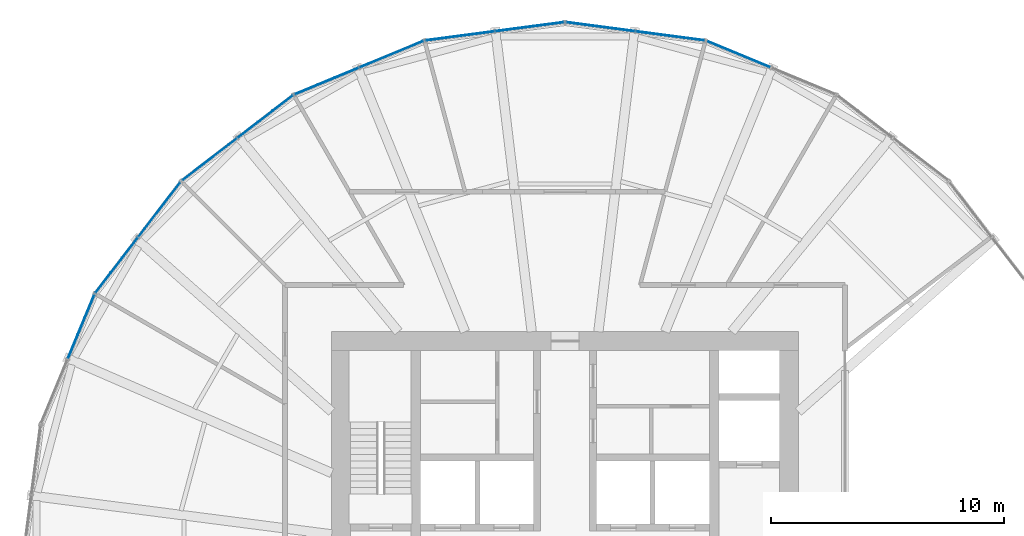
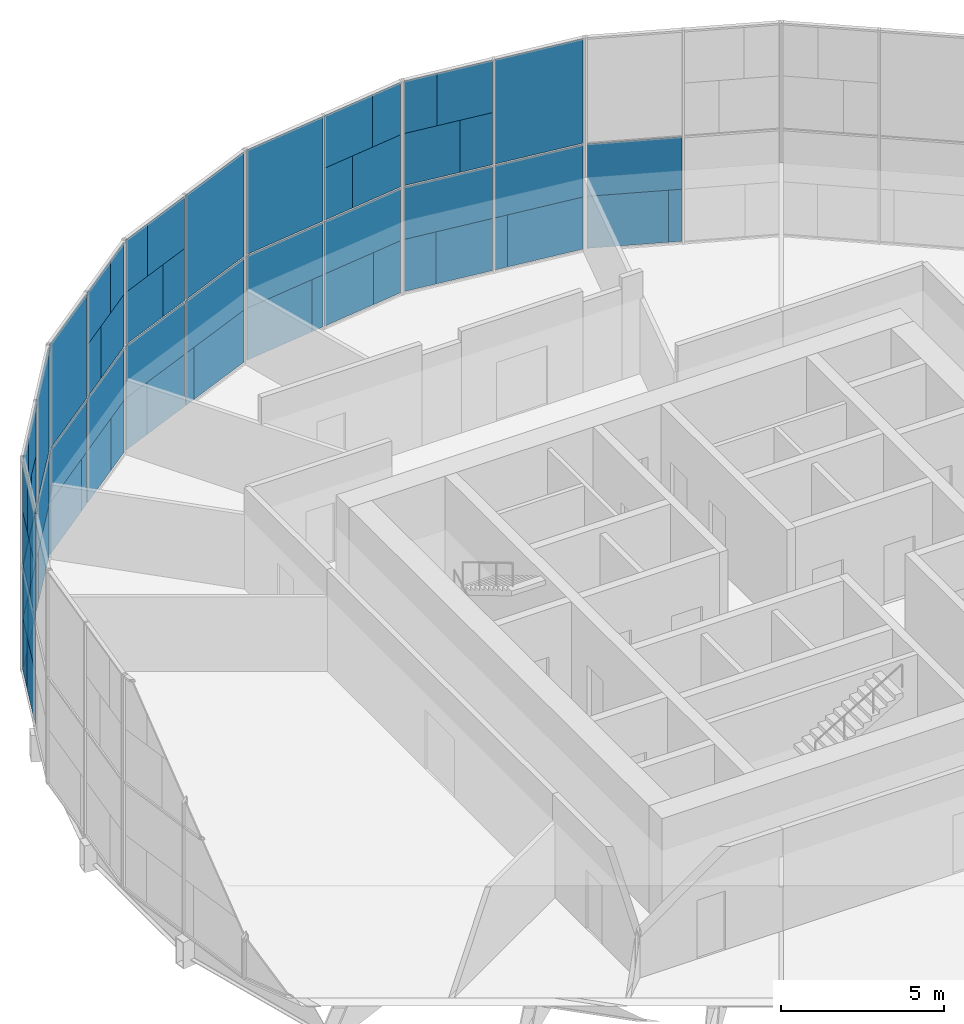
# One storey, part 13 of 18: 65 plates, 7 elements without a shape of their own.
"""IFC4 building model written with IfcOpenShell, lengths in metres."""

from ifc_helpers import new_model, si_unit, direction, frame, origin, origin_2d, place, context, subcontext, project, spatial, rectangle, extrude, material, layer, layer_set, type_object, element, aggregate, save


model = new_model("IFC4")

# Units and contexts
model_context = context("Model", 3, precision=1e-05, world=origin(), true_north=direction((0.0, 1.0)))
body_context = subcontext(model_context, "Body", "Model", "MODEL_VIEW")
ifc_project = project(units=[si_unit("LENGTHUNIT", "METRE"), si_unit("AREAUNIT", "SQUARE_METRE"), si_unit("VOLUMEUNIT", "CUBIC_METRE"), si_unit("PLANEANGLEUNIT", "RADIAN"), si_unit("MASSUNIT", "GRAM", prefix="KILO")], contexts=[model_context])

# Site, building, storey
site_placement = place(None, origin())
site = spatial("IfcSite", under=ifc_project, at=site_placement, CompositionType="ELEMENT")
building_placement = place(site_placement, origin())
building = spatial("IfcBuilding", under=site, at=building_placement, Name="Golbaran Civic Tower", CompositionType="ELEMENT")
storey_placement = place(building_placement, frame((0.0, 0.0, 45.0)))
storey = spatial("IfcBuildingStorey", under=building, at=storey_placement, Name="L10", CompositionType="ELEMENT", Elevation=45.0)

# Curtain wall, plates
ifc_material_1 = material(Name="Aluminium and glass", Category="aluminium")
curtain_wall_type = type_object("IfcCurtainWallType", Name="INNER SKIN CURTAIN WALL", PredefinedType="NOTDEFINED", material=ifc_material_1)
curtain_wall_1_placement = place(storey_placement, origin())
curtain_wall_1 = element("IfcCurtainWall", 1, at=curtain_wall_1_placement, inside=storey, type_object=curtain_wall_type, Name="Inner skin L10 facet 5 CW1", ObjectType="INNER SKIN", PredefinedType="USERDEFINED")
ifc_material_2 = material(Name="Clear insulating glass", Category="glass")
ifc_layer_1 = layer(ifc_material_2, 0.031982421875, Name="Clear insulating glass")
ifc_layer_set_1 = layer_set([ifc_layer_1], Name="Clear insulating glass")
plate_type_1 = type_object("IfcPlateType", Name="INNER SKIN CURTAIN WALL GLAZED PANEL", PredefinedType="CURTAIN_PANEL", material=ifc_layer_set_1)
plate_1_placement = place(storey_placement, frame((7.24609375, 21.971435546875, 0.06494140625), z_axis=(0.0, 0.0, 1.0), x_axis=(-0.923879532451, 0.38268343251, 0.0)))
plate_1 = element("IfcPlate", 2, at=plate_1_placement, type_object=plate_type_1, Name="CW1 panel 2.1 part 2", PredefinedType="CURTAIN_PANEL", context=body_context, shape_type="SweptSolid", body=[
    extrude(rectangle(XDim=2.51806640625, YDim=0.031982421875, at=origin_2d()), origin(), (0.0, 0.0, 1.0), 1.951171875),
])
plate_2_placement = place(storey_placement, frame((7.441162109375, 21.890625, 2.016357421875), z_axis=(0.0, 0.0, 1.0), x_axis=(-0.923879532451, 0.38268343251, 0.0)))
plate_2 = element("IfcPlate", 3, at=plate_2_placement, type_object=plate_type_1, Name="CW1 panel 2.1 part 3", PredefinedType="CURTAIN_PANEL", context=body_context, shape_type="SweptSolid", body=[
    extrude(rectangle(XDim=2.93994140625, YDim=0.031982421875, at=origin_2d()), origin(), (0.0, 0.0, 1.0), 1.951171875),
])

curtain_wall_2_placement = place(storey_placement, origin())
curtain_wall_2 = element("IfcCurtainWall", 4, at=curtain_wall_2_placement, inside=storey, type_object=curtain_wall_type, Name="Inner skin L10 facet 6 CW1", ObjectType="INNER SKIN", PredefinedType="USERDEFINED")
plate_3_placement = place(storey_placement, frame((4.710205078125, 22.65087890625, 0.06494140625), z_axis=(0.0, 0.0, 1.0), x_axis=(-0.991444861385, 0.130526192134, 0.0)))
plate_3 = element("IfcPlate", 5, at=plate_3_placement, type_object=plate_type_1, Name="CW1 panel 1.1 part 1", PredefinedType="CURTAIN_PANEL", context=body_context, shape_type="SweptSolid", body=[
    extrude(rectangle(XDim=2.51806640625, YDim=0.031982421875, at=origin_2d()), origin(), (0.0, 0.0, 1.0), 1.951171875),
])
plate_4_placement = place(storey_placement, frame((4.501220703125, 22.678466796875, 2.016357421875), z_axis=(0.0, 0.0, 1.0), x_axis=(-0.991444861385, 0.130526192134, 0.0)))
plate_4 = element("IfcPlate", 6, at=plate_4_placement, type_object=plate_type_1, Name="CW1 panel 1.1 part 3", PredefinedType="CURTAIN_PANEL", context=body_context, shape_type="SweptSolid", body=[
    extrude(rectangle(XDim=2.93994140625, YDim=0.031982421875, at=origin_2d()), origin(), (0.0, 0.0, 1.0), 1.951171875),
])
plate_5_placement = place(storey_placement, frame((4.501220703125, 22.678466796875, 4.0322265625), z_axis=(0.0, 0.0, 1.0), x_axis=(-0.991444861385, 0.130526192134, 0.0)))
plate_5 = element("IfcPlate", 7, at=plate_5_placement, type_object=plate_type_1, Name="CW1 panel 1.2", PredefinedType="CURTAIN_PANEL", context=body_context, shape_type="SweptSolid", body=[
    extrude(rectangle(XDim=2.93994140625, YDim=0.031982421875, at=origin_2d()), origin(), (0.0, 0.0, 1.0), 3.902587890625),
])
plate_6_placement = place(storey_placement, frame((0.58935546875, 23.193359375, 0.06494140625), z_axis=(0.0, 0.0, 1.0), x_axis=(-0.991444861385, 0.130526192134, 0.0)))
plate_6 = element("IfcPlate", 8, at=plate_6_placement, type_object=plate_type_1, Name="CW1 panel 2.1 part 2", PredefinedType="CURTAIN_PANEL", context=body_context, shape_type="SweptSolid", body=[
    extrude(rectangle(XDim=1.05908203125, YDim=0.031982421875, at=origin_2d()), origin(), (0.0, 0.0, 1.0), 1.951171875),
])
plate_7_placement = place(storey_placement, frame((2.44287109375, 22.949462890625, 4.032470703125), z_axis=(0.0, 0.0, 1.0), x_axis=(-0.991444861385, 0.130526192134, 0.0)))
plate_7 = element("IfcPlate", 9, at=plate_7_placement, type_object=plate_type_1, Name="CW1 panel 2.2 part 1", PredefinedType="CURTAIN_PANEL", context=body_context, shape_type="SweptSolid", body=[
    extrude(rectangle(XDim=1.08203125, YDim=0.031982421875, at=origin_2d()), origin(), (0.0, 0.0, 1.0), 1.951171875),
])
plate_8_placement = place(storey_placement, frame((2.05859375, 23.0, 5.98388671875), z_axis=(0.0, 0.0, 1.0), x_axis=(-0.991444861385, 0.130526192134, 0.0)))
plate_8 = element("IfcPlate", 10, at=plate_8_placement, type_object=plate_type_1, Name="CW1 panel 2.2 part 3", PredefinedType="CURTAIN_PANEL", context=body_context, shape_type="SweptSolid", body=[
    extrude(rectangle(XDim=1.85693359375, YDim=0.031982421875, at=origin_2d()), origin(), (0.0, 0.0, 1.0), 1.951171875),
])

curtain_wall_3_placement = place(storey_placement, origin())
curtain_wall_3 = element("IfcCurtainWall", 11, at=curtain_wall_3_placement, inside=storey, type_object=curtain_wall_type, Name="Inner skin L10 facet 7 CW1", ObjectType="INNER SKIN", PredefinedType="USERDEFINED")
plate_9_placement = place(storey_placement, frame((-0.58935546875, 23.193359375, 0.06494140625), z_axis=(0.0, 0.0, 1.0), x_axis=(-0.991444861385, -0.130526192134, 0.0)))
plate_9 = element("IfcPlate", 12, at=plate_9_placement, type_object=plate_type_1, Name="CW1 panel 1.1 part 1", PredefinedType="CURTAIN_PANEL", context=body_context, shape_type="SweptSolid", body=[
    extrude(rectangle(XDim=1.05908203125, YDim=0.031982421875, at=origin_2d()), origin(), (0.0, 0.0, 1.0), 1.951171875),
])
plate_10_placement = place(storey_placement, frame((-2.44287109375, 22.949462890625, 4.032470703125), z_axis=(0.0, 0.0, 1.0), x_axis=(-0.991444861385, -0.130526192134, 0.0)))
plate_10 = element("IfcPlate", 13, at=plate_10_placement, type_object=plate_type_1, Name="CW1 panel 1.2 part 2", PredefinedType="CURTAIN_PANEL", context=body_context, shape_type="SweptSolid", body=[
    extrude(rectangle(XDim=1.08203125, YDim=0.031982421875, at=origin_2d()), origin(), (0.0, 0.0, 1.0), 1.951171875),
])
plate_11_placement = place(storey_placement, frame((-2.058837890625, 23.0, 5.98388671875), z_axis=(0.0, 0.0, 1.0), x_axis=(-0.991444861385, -0.130526192134, 0.0)))
plate_11 = element("IfcPlate", 14, at=plate_11_placement, type_object=plate_type_1, Name="CW1 panel 1.2 part 4", PredefinedType="CURTAIN_PANEL", context=body_context, shape_type="SweptSolid", body=[
    extrude(rectangle(XDim=1.85693359375, YDim=0.031982421875, at=origin_2d()), origin(), (0.0, 0.0, 1.0), 1.951171875),
])
plate_12_placement = place(storey_placement, frame((-4.710205078125, 22.65087890625, 0.06494140625), z_axis=(0.0, 0.0, 1.0), x_axis=(-0.991444861385, -0.130526192134, 0.0)))
plate_12 = element("IfcPlate", 15, at=plate_12_placement, type_object=plate_type_1, Name="CW1 panel 2.1 part 2", PredefinedType="CURTAIN_PANEL", context=body_context, shape_type="SweptSolid", body=[
    extrude(rectangle(XDim=2.51806640625, YDim=0.031982421875, at=origin_2d()), origin(), (0.0, 0.0, 1.0), 1.951171875),
])
plate_13_placement = place(storey_placement, frame((-4.501220703125, 22.678466796875, 2.016357421875), z_axis=(0.0, 0.0, 1.0), x_axis=(-0.991444861385, -0.130526192134, 0.0)))
plate_13 = element("IfcPlate", 16, at=plate_13_placement, type_object=plate_type_1, Name="CW1 panel 2.1 part 3", PredefinedType="CURTAIN_PANEL", context=body_context, shape_type="SweptSolid", body=[
    extrude(rectangle(XDim=2.93994140625, YDim=0.031982421875, at=origin_2d()), origin(), (0.0, 0.0, 1.0), 1.951171875),
])
plate_14_placement = place(storey_placement, frame((-4.501220703125, 22.678466796875, 4.0322265625), z_axis=(0.0, 0.0, 1.0), x_axis=(-0.991444861385, -0.130526192134, 0.0)))
plate_14 = element("IfcPlate", 17, at=plate_14_placement, type_object=plate_type_1, Name="CW1 panel 2.2", PredefinedType="CURTAIN_PANEL", context=body_context, shape_type="SweptSolid", body=[
    extrude(rectangle(XDim=2.93994140625, YDim=0.031982421875, at=origin_2d()), origin(), (0.0, 0.0, 1.0), 3.902587890625),
])

curtain_wall_4_placement = place(storey_placement, origin())
curtain_wall_4 = element("IfcCurtainWall", 18, at=curtain_wall_4_placement, inside=storey, type_object=curtain_wall_type, Name="Inner skin L10 facet 8 CW1", ObjectType="INNER SKIN", PredefinedType="USERDEFINED")
plate_15_placement = place(storey_placement, frame((-7.24609375, 21.971435546875, 0.06494140625), z_axis=(0.0, 0.0, 1.0), x_axis=(-0.923879532451, -0.38268343251, 0.0)))
plate_15 = element("IfcPlate", 19, at=plate_15_placement, type_object=plate_type_1, Name="CW1 panel 1.1 part 1", PredefinedType="CURTAIN_PANEL", context=body_context, shape_type="SweptSolid", body=[
    extrude(rectangle(XDim=2.51806640625, YDim=0.031982421875, at=origin_2d()), origin(), (0.0, 0.0, 1.0), 1.951171875),
])
plate_16_placement = place(storey_placement, frame((-7.441162109375, 21.890625, 2.016357421875), z_axis=(0.0, 0.0, 1.0), x_axis=(-0.923879532451, -0.38268343251, 0.0)))
plate_16 = element("IfcPlate", 20, at=plate_16_placement, type_object=plate_type_1, Name="CW1 panel 1.1 part 3", PredefinedType="CURTAIN_PANEL", context=body_context, shape_type="SweptSolid", body=[
    extrude(rectangle(XDim=2.93994140625, YDim=0.031982421875, at=origin_2d()), origin(), (0.0, 0.0, 1.0), 1.951171875),
])
plate_17_placement = place(storey_placement, frame((-7.441162109375, 21.890625, 4.0322265625), z_axis=(0.0, 0.0, 1.0), x_axis=(-0.923879532451, -0.38268343251, 0.0)))
plate_17 = element("IfcPlate", 21, at=plate_17_placement, type_object=plate_type_1, Name="CW1 panel 1.2", PredefinedType="CURTAIN_PANEL", context=body_context, shape_type="SweptSolid", body=[
    extrude(rectangle(XDim=2.93994140625, YDim=0.031982421875, at=origin_2d()), origin(), (0.0, 0.0, 1.0), 3.902587890625),
])
plate_18_placement = place(storey_placement, frame((-11.086181640625, 20.380859375, 0.06494140625), z_axis=(0.0, 0.0, 1.0), x_axis=(-0.923879532451, -0.38268343251, 0.0)))
plate_18 = element("IfcPlate", 22, at=plate_18_placement, type_object=plate_type_1, Name="CW1 panel 2.1 part 2", PredefinedType="CURTAIN_PANEL", context=body_context, shape_type="SweptSolid", body=[
    extrude(rectangle(XDim=1.05908203125, YDim=0.031982421875, at=origin_2d()), origin(), (0.0, 0.0, 1.0), 1.951171875),
])
plate_19_placement = place(storey_placement, frame((-9.359130859375, 21.09619140625, 4.032470703125), z_axis=(0.0, 0.0, 1.0), x_axis=(-0.923879532451, -0.38268343251, 0.0)))
plate_19 = element("IfcPlate", 23, at=plate_19_placement, type_object=plate_type_1, Name="CW1 panel 2.2 part 1", PredefinedType="CURTAIN_PANEL", context=body_context, shape_type="SweptSolid", body=[
    extrude(rectangle(XDim=1.08203125, YDim=0.031982421875, at=origin_2d()), origin(), (0.0, 0.0, 1.0), 1.951171875),
])
plate_20_placement = place(storey_placement, frame((-9.717041015625, 20.947998046875, 5.98388671875), z_axis=(0.0, 0.0, 1.0), x_axis=(-0.923879532451, -0.38268343251, 0.0)))
plate_20 = element("IfcPlate", 24, at=plate_20_placement, type_object=plate_type_1, Name="CW1 panel 2.2 part 3", PredefinedType="CURTAIN_PANEL", context=body_context, shape_type="SweptSolid", body=[
    extrude(rectangle(XDim=1.85693359375, YDim=0.031982421875, at=origin_2d()), origin(), (0.0, 0.0, 1.0), 1.951171875),
])

curtain_wall_5_placement = place(storey_placement, origin())
curtain_wall_5 = element("IfcCurtainWall", 25, at=curtain_wall_5_placement, inside=storey, type_object=curtain_wall_type, Name="Inner skin L10 facet 9 CW1", ObjectType="INNER SKIN", PredefinedType="USERDEFINED")
plate_21_placement = place(storey_placement, frame((-12.107177734375, 19.791259765625, 0.06494140625), z_axis=(0.0, 0.0, 1.0), x_axis=(-0.793353340334, -0.608761428953, 0.0)))
plate_21 = element("IfcPlate", 26, at=plate_21_placement, type_object=plate_type_1, Name="CW1 panel 1.1 part 1", PredefinedType="CURTAIN_PANEL", context=body_context, shape_type="SweptSolid", body=[
    extrude(rectangle(XDim=1.05908203125, YDim=0.031982421875, at=origin_2d()), origin(), (0.0, 0.0, 1.0), 1.951171875),
])
plate_22_placement = place(storey_placement, frame((-13.59033203125, 18.6533203125, 4.032470703125), z_axis=(0.0, 0.0, 1.0), x_axis=(-0.793353340334, -0.608761428953, 0.0)))
plate_22 = element("IfcPlate", 27, at=plate_22_placement, type_object=plate_type_1, Name="CW1 panel 1.2 part 2", PredefinedType="CURTAIN_PANEL", context=body_context, shape_type="SweptSolid", body=[
    extrude(rectangle(XDim=1.08203125, YDim=0.031982421875, at=origin_2d()), origin(), (0.0, 0.0, 1.0), 1.951171875),
])
plate_23_placement = place(storey_placement, frame((-13.282958984375, 18.88916015625, 5.98388671875), z_axis=(0.0, 0.0, 1.0), x_axis=(-0.793353340334, -0.608761428953, 0.0)))
plate_23 = element("IfcPlate", 28, at=plate_23_placement, type_object=plate_type_1, Name="CW1 panel 1.2 part 4", PredefinedType="CURTAIN_PANEL", context=body_context, shape_type="SweptSolid", body=[
    extrude(rectangle(XDim=1.85693359375, YDim=0.031982421875, at=origin_2d()), origin(), (0.0, 0.0, 1.0), 1.951171875),
])
plate_24_placement = place(storey_placement, frame((-15.40478515625, 17.260986328125, 0.06494140625), z_axis=(0.0, 0.0, 1.0), x_axis=(-0.793353340334, -0.608761428953, 0.0)))
plate_24 = element("IfcPlate", 29, at=plate_24_placement, type_object=plate_type_1, Name="CW1 panel 2.1 part 2", PredefinedType="CURTAIN_PANEL", context=body_context, shape_type="SweptSolid", body=[
    extrude(rectangle(XDim=2.51806640625, YDim=0.031982421875, at=origin_2d()), origin(), (0.0, 0.0, 1.0), 1.951171875),
])
plate_25_placement = place(storey_placement, frame((-15.2373046875, 17.389404296875, 2.016357421875), z_axis=(0.0, 0.0, 1.0), x_axis=(-0.793353340334, -0.608761428953, 0.0)))
plate_25 = element("IfcPlate", 30, at=plate_25_placement, type_object=plate_type_1, Name="CW1 panel 2.1 part 3", PredefinedType="CURTAIN_PANEL", context=body_context, shape_type="SweptSolid", body=[
    extrude(rectangle(XDim=2.93994140625, YDim=0.031982421875, at=origin_2d()), origin(), (0.0, 0.0, 1.0), 1.951171875),
])
plate_26_placement = place(storey_placement, frame((-15.2373046875, 17.389404296875, 4.0322265625), z_axis=(0.0, 0.0, 1.0), x_axis=(-0.793353340334, -0.608761428953, 0.0)))
plate_26 = element("IfcPlate", 31, at=plate_26_placement, type_object=plate_type_1, Name="CW1 panel 2.2", PredefinedType="CURTAIN_PANEL", context=body_context, shape_type="SweptSolid", body=[
    extrude(rectangle(XDim=2.93994140625, YDim=0.031982421875, at=origin_2d()), origin(), (0.0, 0.0, 1.0), 3.902587890625),
])

curtain_wall_6_placement = place(storey_placement, origin())
curtain_wall_6 = element("IfcCurtainWall", 32, at=curtain_wall_6_placement, inside=storey, type_object=curtain_wall_type, Name="Inner skin L10 facet 10 CW1", ObjectType="INNER SKIN", PredefinedType="USERDEFINED")
plate_27_placement = place(storey_placement, frame((-17.260986328125, 15.40478515625, 0.06494140625), z_axis=(0.0, 0.0, 1.0), x_axis=(-0.608761428953, -0.793353340334, 0.0)))
plate_27 = element("IfcPlate", 33, at=plate_27_placement, type_object=plate_type_1, Name="CW1 panel 1.1 part 1", PredefinedType="CURTAIN_PANEL", context=body_context, shape_type="SweptSolid", body=[
    extrude(rectangle(XDim=2.51806640625, YDim=0.031982421875, at=origin_2d()), origin(), (0.0, 0.0, 1.0), 1.951171875),
])
plate_28_placement = place(storey_placement, frame((-17.389404296875, 15.2373046875, 2.016357421875), z_axis=(0.0, 0.0, 1.0), x_axis=(-0.608761428953, -0.793353340334, 0.0)))
plate_28 = element("IfcPlate", 34, at=plate_28_placement, type_object=plate_type_1, Name="CW1 panel 1.1 part 3", PredefinedType="CURTAIN_PANEL", context=body_context, shape_type="SweptSolid", body=[
    extrude(rectangle(XDim=2.93994140625, YDim=0.031982421875, at=origin_2d()), origin(), (0.0, 0.0, 1.0), 1.951171875),
])
plate_29_placement = place(storey_placement, frame((-17.389404296875, 15.2373046875, 4.0322265625), z_axis=(0.0, 0.0, 1.0), x_axis=(-0.608761428953, -0.793353340334, 0.0)))
plate_29 = element("IfcPlate", 35, at=plate_29_placement, type_object=plate_type_1, Name="CW1 panel 1.2", PredefinedType="CURTAIN_PANEL", context=body_context, shape_type="SweptSolid", body=[
    extrude(rectangle(XDim=2.93994140625, YDim=0.031982421875, at=origin_2d()), origin(), (0.0, 0.0, 1.0), 3.902587890625),
])
plate_30_placement = place(storey_placement, frame((-19.791259765625, 12.107177734375, 0.06494140625), z_axis=(0.0, 0.0, 1.0), x_axis=(-0.608761428953, -0.793353340334, 0.0)))
plate_30 = element("IfcPlate", 36, at=plate_30_placement, type_object=plate_type_1, Name="CW1 panel 2.1 part 2", PredefinedType="CURTAIN_PANEL", context=body_context, shape_type="SweptSolid", body=[
    extrude(rectangle(XDim=1.05908203125, YDim=0.031982421875, at=origin_2d()), origin(), (0.0, 0.0, 1.0), 1.951171875),
])
plate_31_placement = place(storey_placement, frame((-18.6533203125, 13.59033203125, 4.032470703125), z_axis=(0.0, 0.0, 1.0), x_axis=(-0.608761428953, -0.793353340334, 0.0)))
plate_31 = element("IfcPlate", 37, at=plate_31_placement, type_object=plate_type_1, Name="CW1 panel 2.2 part 1", PredefinedType="CURTAIN_PANEL", context=body_context, shape_type="SweptSolid", body=[
    extrude(rectangle(XDim=1.08203125, YDim=0.031982421875, at=origin_2d()), origin(), (0.0, 0.0, 1.0), 1.951171875),
])
plate_32_placement = place(storey_placement, frame((-18.88916015625, 13.282958984375, 5.98388671875), z_axis=(0.0, 0.0, 1.0), x_axis=(-0.608761428953, -0.793353340334, 0.0)))
plate_32 = element("IfcPlate", 38, at=plate_32_placement, type_object=plate_type_1, Name="CW1 panel 2.2 part 3", PredefinedType="CURTAIN_PANEL", context=body_context, shape_type="SweptSolid", body=[
    extrude(rectangle(XDim=1.85693359375, YDim=0.031982421875, at=origin_2d()), origin(), (0.0, 0.0, 1.0), 1.951171875),
])

curtain_wall_7_placement = place(storey_placement, origin())
curtain_wall_7 = element("IfcCurtainWall", 39, at=curtain_wall_7_placement, inside=storey, type_object=curtain_wall_type, Name="Inner skin L10 facet 11 CW1", ObjectType="INNER SKIN", PredefinedType="USERDEFINED")
plate_33_placement = place(storey_placement, frame((-20.380859375, 11.086181640625, 0.06494140625), z_axis=(0.0, 0.0, 1.0), x_axis=(-0.38268343251, -0.923879532451, 0.0)))
plate_33 = element("IfcPlate", 40, at=plate_33_placement, type_object=plate_type_1, Name="CW1 panel 1.1 part 1", PredefinedType="CURTAIN_PANEL", context=body_context, shape_type="SweptSolid", body=[
    extrude(rectangle(XDim=1.05908203125, YDim=0.031982421875, at=origin_2d()), origin(), (0.0, 0.0, 1.0), 1.951171875),
])
plate_34_placement = place(storey_placement, frame((-21.09619140625, 9.359130859375, 4.032470703125), z_axis=(0.0, 0.0, 1.0), x_axis=(-0.38268343251, -0.923879532451, 0.0)))
plate_34 = element("IfcPlate", 41, at=plate_34_placement, type_object=plate_type_1, Name="CW1 panel 1.2 part 2", PredefinedType="CURTAIN_PANEL", context=body_context, shape_type="SweptSolid", body=[
    extrude(rectangle(XDim=1.08203125, YDim=0.031982421875, at=origin_2d()), origin(), (0.0, 0.0, 1.0), 1.951171875),
])
plate_35_placement = place(storey_placement, frame((-20.947998046875, 9.717041015625, 5.98388671875), z_axis=(0.0, 0.0, 1.0), x_axis=(-0.38268343251, -0.923879532451, 0.0)))
plate_35 = element("IfcPlate", 42, at=plate_35_placement, type_object=plate_type_1, Name="CW1 panel 1.2 part 4", PredefinedType="CURTAIN_PANEL", context=body_context, shape_type="SweptSolid", body=[
    extrude(rectangle(XDim=1.85693359375, YDim=0.031982421875, at=origin_2d()), origin(), (0.0, 0.0, 1.0), 1.951171875),
])

# Plate
ifc_material_3 = material(Name="Aluminium faced opaque infill panel", Category="aluminium")
ifc_layer_2 = layer(ifc_material_3, 0.031982421875, Name="Aluminium faced opaque infill panel")
ifc_layer_set_2 = layer_set([ifc_layer_2], Name="Aluminium faced opaque infill panel")
plate_type_2 = type_object("IfcPlateType", Name="INNER SKIN CURTAIN WALL OPAQUE INFILL PANEL", PredefinedType="CURTAIN_PANEL", material=ifc_layer_set_2)
plate_36_placement = place(storey_placement, frame((8.604248046875, 21.408935546875, 0.06494140625), z_axis=(0.0, 0.0, 1.0), x_axis=(-0.923879532451, 0.38268343251, 0.0)))
plate_36 = element("IfcPlate", 43, at=plate_36_placement, type_object=plate_type_2, Name="CW1 infill panel 2.1 part 1", PredefinedType="CURTAIN_PANEL", context=body_context, shape_type="SweptSolid", body=[
    extrude(rectangle(XDim=0.422119140625, YDim=0.031982421875, at=origin_2d()), origin(), (0.0, 0.0, 1.0), 1.951171875),
])

aggregate(curtain_wall_1, [plate_36, plate_1, plate_2])

plate_37_placement = place(storey_placement, frame((3.2529296875, 22.8427734375, 0.06494140625), z_axis=(0.0, 0.0, 1.0), x_axis=(-0.991444861385, 0.130526192134, 0.0)))
plate_37 = element("IfcPlate", 44, at=plate_37_placement, type_object=plate_type_2, Name="CW1 infill panel 1.1 part 2", PredefinedType="CURTAIN_PANEL", context=body_context, shape_type="SweptSolid", body=[
    extrude(rectangle(XDim=0.421875, YDim=0.031982421875, at=origin_2d()), origin(), (0.0, 0.0, 1.0), 1.951171875),
])

plate_38_placement = place(storey_placement, frame((2.046875, 23.00146484375, 0.06494140625), z_axis=(0.0, 0.0, 1.0), x_axis=(-0.991444861385, 0.130526192134, 0.0)))
plate_38 = element("IfcPlate", 45, at=plate_38_placement, type_object=plate_type_2, Name="CW1 infill panel 2.1 part 1", PredefinedType="CURTAIN_PANEL", context=body_context, shape_type="SweptSolid", body=[
    extrude(rectangle(XDim=1.881103515625, YDim=0.031982421875, at=origin_2d()), origin(), (0.0, 0.0, 1.0), 1.951171875),
])

plate_39_placement = place(storey_placement, frame((1.52197265625, 23.070556640625, 2.016357421875), z_axis=(0.0, 0.0, 1.0), x_axis=(-0.991444861385, 0.130526192134, 0.0)))
plate_39 = element("IfcPlate", 46, at=plate_39_placement, type_object=plate_type_2, Name="CW1 infill panel 2.1 part 3", PredefinedType="CURTAIN_PANEL", context=body_context, shape_type="SweptSolid", body=[
    extrude(rectangle(XDim=2.93994140625, YDim=0.031982421875, at=origin_2d()), origin(), (0.0, 0.0, 1.0), 1.951171875),
])

plate_40_placement = place(storey_placement, frame((0.985595703125, 23.141357421875, 4.032470703125), z_axis=(0.0, 0.0, 1.0), x_axis=(-0.991444861385, 0.130526192134, 0.0)))
plate_40 = element("IfcPlate", 47, at=plate_40_placement, type_object=plate_type_2, Name="CW1 infill panel 2.2 part 2", PredefinedType="CURTAIN_PANEL", context=body_context, shape_type="SweptSolid", body=[
    extrude(rectangle(XDim=1.85791015625, YDim=0.031982421875, at=origin_2d()), origin(), (0.0, 0.0, 1.0), 1.951171875),
])

plate_41_placement = place(storey_placement, frame((0.601318359375, 23.19189453125, 5.98388671875), z_axis=(0.0, 0.0, 1.0), x_axis=(-0.991444861385, 0.130526192134, 0.0)))
plate_41 = element("IfcPlate", 48, at=plate_41_placement, type_object=plate_type_2, Name="CW1 infill panel 2.2 part 4", PredefinedType="CURTAIN_PANEL", context=body_context, shape_type="SweptSolid", body=[
    extrude(rectangle(XDim=1.0830078125, YDim=0.031982421875, at=origin_2d()), origin(), (0.0, 0.0, 1.0), 1.951171875),
])

aggregate(curtain_wall_2, [plate_3, plate_37, plate_4, plate_5, plate_38, plate_6, plate_39, plate_7, plate_40, plate_8, plate_41])

plate_42_placement = place(storey_placement, frame((-2.046875, 23.00146484375, 0.06494140625), z_axis=(0.0, 0.0, 1.0), x_axis=(-0.991444861385, -0.130526192134, 0.0)))
plate_42 = element("IfcPlate", 49, at=plate_42_placement, type_object=plate_type_2, Name="CW1 infill panel 1.1 part 2", PredefinedType="CURTAIN_PANEL", context=body_context, shape_type="SweptSolid", body=[
    extrude(rectangle(XDim=1.880859375, YDim=0.031982421875, at=origin_2d()), origin(), (0.0, 0.0, 1.0), 1.951171875),
])

plate_43_placement = place(storey_placement, frame((-1.52197265625, 23.070556640625, 2.016357421875), z_axis=(0.0, 0.0, 1.0), x_axis=(-0.991444861385, -0.130526192134, 0.0)))
plate_43 = element("IfcPlate", 50, at=plate_43_placement, type_object=plate_type_2, Name="CW1 infill panel 1.1 part 3", PredefinedType="CURTAIN_PANEL", context=body_context, shape_type="SweptSolid", body=[
    extrude(rectangle(XDim=2.93994140625, YDim=0.031982421875, at=origin_2d()), origin(), (0.0, 0.0, 1.0), 1.951171875),
])

plate_44_placement = place(storey_placement, frame((-0.985595703125, 23.141357421875, 4.032470703125), z_axis=(0.0, 0.0, 1.0), x_axis=(-0.991444861385, -0.130526192134, 0.0)))
plate_44 = element("IfcPlate", 51, at=plate_44_placement, type_object=plate_type_2, Name="CW1 infill panel 1.2 part 1", PredefinedType="CURTAIN_PANEL", context=body_context, shape_type="SweptSolid", body=[
    extrude(rectangle(XDim=1.85791015625, YDim=0.031982421875, at=origin_2d()), origin(), (0.0, 0.0, 1.0), 1.951171875),
])

plate_45_placement = place(storey_placement, frame((-0.601318359375, 23.19189453125, 5.98388671875), z_axis=(0.0, 0.0, 1.0), x_axis=(-0.991444861385, -0.130526192134, 0.0)))
plate_45 = element("IfcPlate", 52, at=plate_45_placement, type_object=plate_type_2, Name="CW1 infill panel 1.2 part 3", PredefinedType="CURTAIN_PANEL", context=body_context, shape_type="SweptSolid", body=[
    extrude(rectangle(XDim=1.0830078125, YDim=0.031982421875, at=origin_2d()), origin(), (0.0, 0.0, 1.0), 1.951171875),
])

plate_46_placement = place(storey_placement, frame((-3.2529296875, 22.8427734375, 0.06494140625), z_axis=(0.0, 0.0, 1.0), x_axis=(-0.991444861385, -0.130526192134, 0.0)))
plate_46 = element("IfcPlate", 53, at=plate_46_placement, type_object=plate_type_2, Name="CW1 infill panel 2.1 part 1", PredefinedType="CURTAIN_PANEL", context=body_context, shape_type="SweptSolid", body=[
    extrude(rectangle(XDim=0.422119140625, YDim=0.031982421875, at=origin_2d()), origin(), (0.0, 0.0, 1.0), 1.951171875),
])

aggregate(curtain_wall_3, [plate_9, plate_42, plate_43, plate_44, plate_10, plate_45, plate_11, plate_46, plate_12, plate_13, plate_14])

plate_47_placement = place(storey_placement, frame((-8.604248046875, 21.408935546875, 0.06494140625), z_axis=(0.0, 0.0, 1.0), x_axis=(-0.923879532451, -0.38268343251, 0.0)))
plate_47 = element("IfcPlate", 54, at=plate_47_placement, type_object=plate_type_2, Name="CW1 infill panel 1.1 part 2", PredefinedType="CURTAIN_PANEL", context=body_context, shape_type="SweptSolid", body=[
    extrude(rectangle(XDim=0.421875, YDim=0.031982421875, at=origin_2d()), origin(), (0.0, 0.0, 1.0), 1.951171875),
])

plate_48_placement = place(storey_placement, frame((-9.728271484375, 20.943359375, 0.06494140625), z_axis=(0.0, 0.0, 1.0), x_axis=(-0.923879532451, -0.38268343251, 0.0)))
plate_48 = element("IfcPlate", 55, at=plate_48_placement, type_object=plate_type_2, Name="CW1 infill panel 2.1 part 1", PredefinedType="CURTAIN_PANEL", context=body_context, shape_type="SweptSolid", body=[
    extrude(rectangle(XDim=1.881103515625, YDim=0.031982421875, at=origin_2d()), origin(), (0.0, 0.0, 1.0), 1.951171875),
])

plate_49_placement = place(storey_placement, frame((-10.21728515625, 20.74072265625, 2.016357421875), z_axis=(0.0, 0.0, 1.0), x_axis=(-0.923879532451, -0.38268343251, 0.0)))
plate_49 = element("IfcPlate", 56, at=plate_49_placement, type_object=plate_type_2, Name="CW1 infill panel 2.1 part 3", PredefinedType="CURTAIN_PANEL", context=body_context, shape_type="SweptSolid", body=[
    extrude(rectangle(XDim=2.93994140625, YDim=0.031982421875, at=origin_2d()), origin(), (0.0, 0.0, 1.0), 1.951171875),
])

plate_50_placement = place(storey_placement, frame((-10.71728515625, 20.53369140625, 4.032470703125), z_axis=(0.0, 0.0, 1.0), x_axis=(-0.923879532451, -0.38268343251, 0.0)))
plate_50 = element("IfcPlate", 57, at=plate_50_placement, type_object=plate_type_2, Name="CW1 infill panel 2.2 part 2", PredefinedType="CURTAIN_PANEL", context=body_context, shape_type="SweptSolid", body=[
    extrude(rectangle(XDim=1.85791015625, YDim=0.031982421875, at=origin_2d()), origin(), (0.0, 0.0, 1.0), 1.951171875),
])

plate_51_placement = place(storey_placement, frame((-11.0751953125, 20.38525390625, 5.98388671875), z_axis=(0.0, 0.0, 1.0), x_axis=(-0.923879532451, -0.38268343251, 0.0)))
plate_51 = element("IfcPlate", 58, at=plate_51_placement, type_object=plate_type_2, Name="CW1 infill panel 2.2 part 4", PredefinedType="CURTAIN_PANEL", context=body_context, shape_type="SweptSolid", body=[
    extrude(rectangle(XDim=1.0830078125, YDim=0.031982421875, at=origin_2d()), origin(), (0.0, 0.0, 1.0), 1.951171875),
])

aggregate(curtain_wall_4, [plate_15, plate_47, plate_16, plate_17, plate_48, plate_18, plate_49, plate_19, plate_50, plate_20, plate_51])

plate_52_placement = place(storey_placement, frame((-13.2734375, 18.896484375, 0.06494140625), z_axis=(0.0, 0.0, 1.0), x_axis=(-0.793353340334, -0.608761428953, 0.0)))
plate_52 = element("IfcPlate", 59, at=plate_52_placement, type_object=plate_type_2, Name="CW1 infill panel 1.1 part 2", PredefinedType="CURTAIN_PANEL", context=body_context, shape_type="SweptSolid", body=[
    extrude(rectangle(XDim=1.880859375, YDim=0.031982421875, at=origin_2d()), origin(), (0.0, 0.0, 1.0), 1.951171875),
])

plate_53_placement = place(storey_placement, frame((-12.853271484375, 19.21875, 2.016357421875), z_axis=(0.0, 0.0, 1.0), x_axis=(-0.793353340334, -0.608761428953, 0.0)))
plate_53 = element("IfcPlate", 60, at=plate_53_placement, type_object=plate_type_2, Name="CW1 infill panel 1.1 part 3", PredefinedType="CURTAIN_PANEL", context=body_context, shape_type="SweptSolid", body=[
    extrude(rectangle(XDim=2.93994140625, YDim=0.031982421875, at=origin_2d()), origin(), (0.0, 0.0, 1.0), 1.951171875),
])

plate_54_placement = place(storey_placement, frame((-12.424072265625, 19.548095703125, 4.032470703125), z_axis=(0.0, 0.0, 1.0), x_axis=(-0.793353340334, -0.608761428953, 0.0)))
plate_54 = element("IfcPlate", 61, at=plate_54_placement, type_object=plate_type_2, Name="CW1 infill panel 1.2 part 1", PredefinedType="CURTAIN_PANEL", context=body_context, shape_type="SweptSolid", body=[
    extrude(rectangle(XDim=1.85791015625, YDim=0.031982421875, at=origin_2d()), origin(), (0.0, 0.0, 1.0), 1.951171875),
])

plate_55_placement = place(storey_placement, frame((-12.11669921875, 19.7841796875, 5.98388671875), z_axis=(0.0, 0.0, 1.0), x_axis=(-0.793353340334, -0.608761428953, 0.0)))
plate_55 = element("IfcPlate", 62, at=plate_55_placement, type_object=plate_type_2, Name="CW1 infill panel 1.2 part 3", PredefinedType="CURTAIN_PANEL", context=body_context, shape_type="SweptSolid", body=[
    extrude(rectangle(XDim=1.0830078125, YDim=0.031982421875, at=origin_2d()), origin(), (0.0, 0.0, 1.0), 1.951171875),
])

plate_56_placement = place(storey_placement, frame((-14.238525390625, 18.156005859375, 0.06494140625), z_axis=(0.0, 0.0, 1.0), x_axis=(-0.793353340334, -0.608761428953, 0.0)))
plate_56 = element("IfcPlate", 63, at=plate_56_placement, type_object=plate_type_2, Name="CW1 infill panel 2.1 part 1", PredefinedType="CURTAIN_PANEL", context=body_context, shape_type="SweptSolid", body=[
    extrude(rectangle(XDim=0.422119140625, YDim=0.031982421875, at=origin_2d()), origin(), (0.0, 0.0, 1.0), 1.951171875),
])

aggregate(curtain_wall_5, [plate_21, plate_52, plate_53, plate_54, plate_22, plate_55, plate_23, plate_56, plate_24, plate_25, plate_26])

plate_57_placement = place(storey_placement, frame((-18.156005859375, 14.238525390625, 0.06494140625), z_axis=(0.0, 0.0, 1.0), x_axis=(-0.608761428953, -0.793353340334, 0.0)))
plate_57 = element("IfcPlate", 64, at=plate_57_placement, type_object=plate_type_2, Name="CW1 infill panel 1.1 part 2", PredefinedType="CURTAIN_PANEL", context=body_context, shape_type="SweptSolid", body=[
    extrude(rectangle(XDim=0.421875, YDim=0.031982421875, at=origin_2d()), origin(), (0.0, 0.0, 1.0), 1.951171875),
])

plate_58_placement = place(storey_placement, frame((-18.896484375, 13.2734375, 0.06494140625), z_axis=(0.0, 0.0, 1.0), x_axis=(-0.608761428953, -0.793353340334, 0.0)))
plate_58 = element("IfcPlate", 65, at=plate_58_placement, type_object=plate_type_2, Name="CW1 infill panel 2.1 part 1", PredefinedType="CURTAIN_PANEL", context=body_context, shape_type="SweptSolid", body=[
    extrude(rectangle(XDim=1.881103515625, YDim=0.031982421875, at=origin_2d()), origin(), (0.0, 0.0, 1.0), 1.951171875),
])

plate_59_placement = place(storey_placement, frame((-19.21875, 12.853271484375, 2.016357421875), z_axis=(0.0, 0.0, 1.0), x_axis=(-0.608761428953, -0.793353340334, 0.0)))
plate_59 = element("IfcPlate", 66, at=plate_59_placement, type_object=plate_type_2, Name="CW1 infill panel 2.1 part 3", PredefinedType="CURTAIN_PANEL", context=body_context, shape_type="SweptSolid", body=[
    extrude(rectangle(XDim=2.93994140625, YDim=0.031982421875, at=origin_2d()), origin(), (0.0, 0.0, 1.0), 1.951171875),
])

plate_60_placement = place(storey_placement, frame((-19.548095703125, 12.424072265625, 4.032470703125), z_axis=(0.0, 0.0, 1.0), x_axis=(-0.608761428953, -0.793353340334, 0.0)))
plate_60 = element("IfcPlate", 67, at=plate_60_placement, type_object=plate_type_2, Name="CW1 infill panel 2.2 part 2", PredefinedType="CURTAIN_PANEL", context=body_context, shape_type="SweptSolid", body=[
    extrude(rectangle(XDim=1.85791015625, YDim=0.031982421875, at=origin_2d()), origin(), (0.0, 0.0, 1.0), 1.951171875),
])

plate_61_placement = place(storey_placement, frame((-19.7841796875, 12.11669921875, 5.98388671875), z_axis=(0.0, 0.0, 1.0), x_axis=(-0.608761428953, -0.793353340334, 0.0)))
plate_61 = element("IfcPlate", 68, at=plate_61_placement, type_object=plate_type_2, Name="CW1 infill panel 2.2 part 4", PredefinedType="CURTAIN_PANEL", context=body_context, shape_type="SweptSolid", body=[
    extrude(rectangle(XDim=1.0830078125, YDim=0.031982421875, at=origin_2d()), origin(), (0.0, 0.0, 1.0), 1.951171875),
])

aggregate(curtain_wall_6, [plate_27, plate_57, plate_28, plate_29, plate_58, plate_30, plate_59, plate_31, plate_60, plate_32, plate_61])

plate_62_placement = place(storey_placement, frame((-20.943359375, 9.728271484375, 0.06494140625), z_axis=(0.0, 0.0, 1.0), x_axis=(-0.38268343251, -0.923879532451, 0.0)))
plate_62 = element("IfcPlate", 69, at=plate_62_placement, type_object=plate_type_2, Name="CW1 infill panel 1.1 part 2", PredefinedType="CURTAIN_PANEL", context=body_context, shape_type="SweptSolid", body=[
    extrude(rectangle(XDim=1.880859375, YDim=0.031982421875, at=origin_2d()), origin(), (0.0, 0.0, 1.0), 1.951171875),
])

plate_63_placement = place(storey_placement, frame((-20.74072265625, 10.21728515625, 2.016357421875), z_axis=(0.0, 0.0, 1.0), x_axis=(-0.38268343251, -0.923879532451, 0.0)))
plate_63 = element("IfcPlate", 70, at=plate_63_placement, type_object=plate_type_2, Name="CW1 infill panel 1.1 part 3", PredefinedType="CURTAIN_PANEL", context=body_context, shape_type="SweptSolid", body=[
    extrude(rectangle(XDim=2.93994140625, YDim=0.031982421875, at=origin_2d()), origin(), (0.0, 0.0, 1.0), 1.951171875),
])

plate_64_placement = place(storey_placement, frame((-20.53369140625, 10.71728515625, 4.032470703125), z_axis=(0.0, 0.0, 1.0), x_axis=(-0.38268343251, -0.923879532451, 0.0)))
plate_64 = element("IfcPlate", 71, at=plate_64_placement, type_object=plate_type_2, Name="CW1 infill panel 1.2 part 1", PredefinedType="CURTAIN_PANEL", context=body_context, shape_type="SweptSolid", body=[
    extrude(rectangle(XDim=1.85791015625, YDim=0.031982421875, at=origin_2d()), origin(), (0.0, 0.0, 1.0), 1.951171875),
])

plate_65_placement = place(storey_placement, frame((-20.38525390625, 11.0751953125, 5.98388671875), z_axis=(0.0, 0.0, 1.0), x_axis=(-0.38268343251, -0.923879532451, 0.0)))
plate_65 = element("IfcPlate", 72, at=plate_65_placement, type_object=plate_type_2, Name="CW1 infill panel 1.2 part 3", PredefinedType="CURTAIN_PANEL", context=body_context, shape_type="SweptSolid", body=[
    extrude(rectangle(XDim=1.0830078125, YDim=0.031982421875, at=origin_2d()), origin(), (0.0, 0.0, 1.0), 1.951171875),
])

aggregate(curtain_wall_7, [plate_33, plate_62, plate_63, plate_64, plate_34, plate_65, plate_35])

save(model, "model.ifc")
